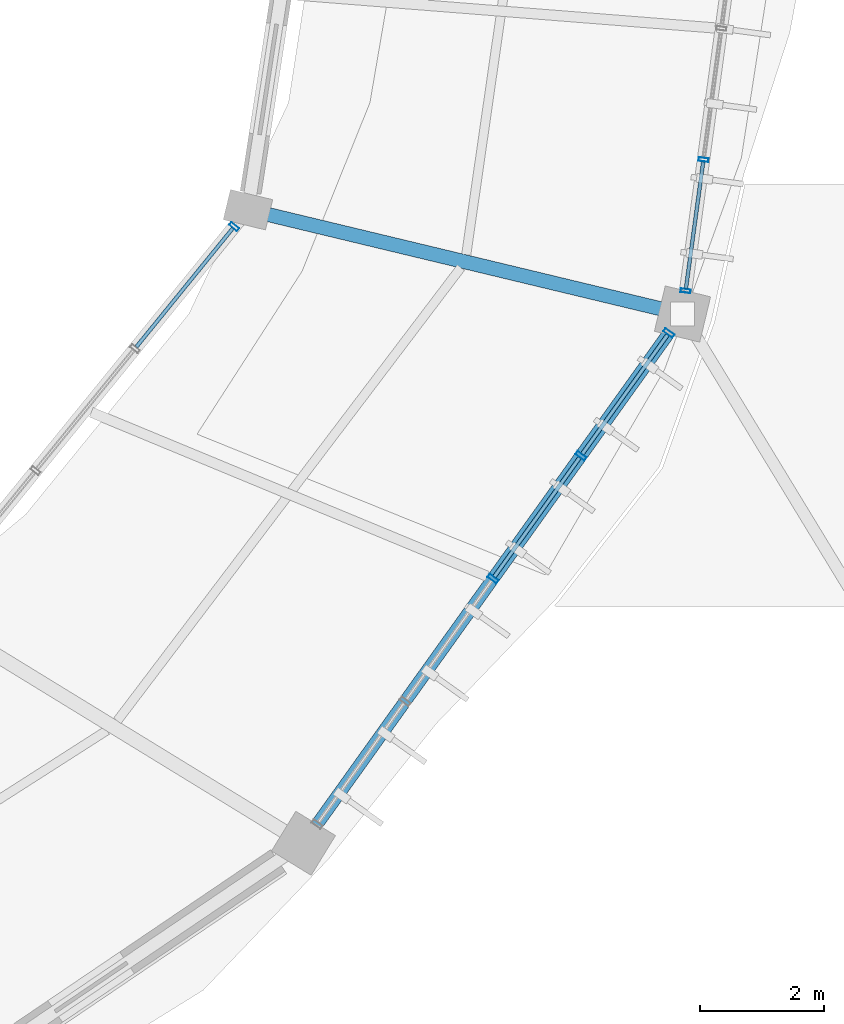
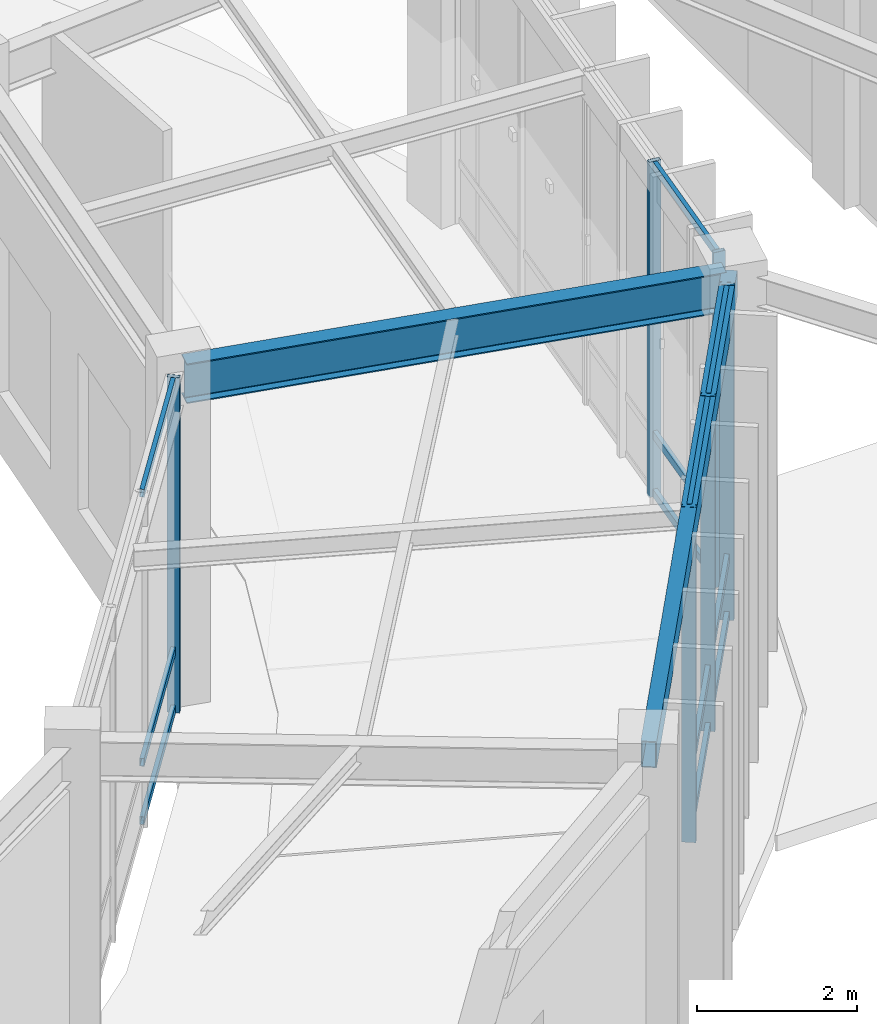
# One storey, part 98 of 157: 18 members, 2 beams, 3 elements without a shape of their own.
"""IFC4 building model written with IfcOpenShell, lengths in metres."""

import ifcopenshell
import ifcopenshell.guid

model = None  # the IFC model being written
_history = None  # IfcOwnerHistory: only IFC2X3 demands one
_inside = {}  # id of a spatial element -> (the spatial element, [elements in it])
_under = {}  # id of a project, library or spatial element -> (it, [spatial elements below it])
_declared = {}  # id of a project -> (the project, [libraries it declares])
_typed = {}  # id of a type object -> (the type object, [elements of that type])
_made_of = {}  # id of a material, layer set ... -> (it, [elements and type objects made of it])


def new_model(schema):
    """Start an empty IFC model of exactly this schema.

    Asked for "IFC4X3", IfcOpenShell would pick the latest addendum, in which some entities
    have other attributes; the version numbers below select the first issue.
    IFC2X3 requires an IfcOwnerHistory on every rooted entity: one is made here for all.
    """
    global model, _history
    if schema == "IFC4X3":
        model = ifcopenshell.file(schema_version=(4, 3, 0, 0))
    else:
        model = ifcopenshell.file(schema=schema)
    _inside.clear()
    _under.clear()
    _declared.clear()
    _typed.clear()
    _made_of.clear()
    _history = None
    if model.schema == "IFC2X3":
        org = make("IfcOrganization", Name="unknown")
        user = make(
            "IfcPersonAndOrganization",
            ThePerson=make("IfcPerson", FamilyName="unknown"),
            TheOrganization=org,
        )
        app = make(
            "IfcApplication",
            ApplicationDeveloper=org,
            Version="unknown",
            ApplicationFullName="unknown",
            ApplicationIdentifier="unknown",
        )
        _history = make(
            "IfcOwnerHistory",
            OwningUser=user,
            OwningApplication=app,
            ChangeAction="ADDED",
            CreationDate=0,
        )
    return model


def make(cls, **values):
    """One entity of the class cls with the attributes given. An attribute that is None is left unset."""
    return model.create_entity(
        cls, **{name: value for name, value in values.items() if value is not None}
    )


def rooted(cls, **values):
    """An entity with a GlobalId (a new one), such as an element, a storey or a relation."""
    return make(cls, GlobalId=ifcopenshell.guid.new(), OwnerHistory=_history, **values)


def si_unit(unit_type, name, prefix=None):
    """IfcSIUnit, for example si_unit("LENGTHUNIT", "METRE", prefix="MILLI")."""
    return make("IfcSIUnit", UnitType=unit_type, Prefix=prefix, Name=name)


def assignment(units):
    """IfcUnitAssignment: the units of a project."""
    return None if units is None else make("IfcUnitAssignment", Units=units)


def point(xyz):
    """IfcCartesianPoint."""
    return None if xyz is None else make("IfcCartesianPoint", Coordinates=xyz)


def direction(xyz):
    """IfcDirection."""
    return None if xyz is None else make("IfcDirection", DirectionRatios=xyz)


def frame(location, z_axis=None, x_axis=None):
    """IfcAxis2Placement3D, a coordinate frame: its origin and axes. An axis left out is left unset."""
    return make(
        "IfcAxis2Placement3D",
        Location=point(location),
        Axis=direction(z_axis),
        RefDirection=direction(x_axis),
    )


def frame_2d(location, x_axis=None):
    """IfcAxis2Placement2D, a coordinate frame in the plane: its origin and x axis."""
    return make(
        "IfcAxis2Placement2D", Location=point(location), RefDirection=direction(x_axis)
    )


def origin():
    """The frame at (0, 0, 0) with its axes left unset."""
    return frame((0.0, 0.0, 0.0))


def origin_2d():
    """The frame at (0, 0) in the plane with its x axis left unset."""
    return frame_2d((0.0, 0.0))


def place(relative_to, where):
    """IfcLocalPlacement: puts the frame where relative to a parent placement (None: the world)."""
    return make(
        "IfcLocalPlacement", PlacementRelTo=relative_to, RelativePlacement=where
    )


def context(
    kind, dimensions, precision=None, world=None, true_north=None, identifier=None
):
    """IfcGeometricRepresentationContext, for example the 3D "Model" context."""
    return make(
        "IfcGeometricRepresentationContext",
        ContextIdentifier=identifier,
        ContextType=kind,
        CoordinateSpaceDimension=dimensions,
        Precision=precision,
        WorldCoordinateSystem=world,
        TrueNorth=true_north,
    )


def subcontext(parent, identifier, kind, view, scale=None):
    """IfcGeometricRepresentationSubContext, for example "Body" below "Model"."""
    return make(
        "IfcGeometricRepresentationSubContext",
        ContextIdentifier=identifier,
        ContextType=kind,
        ParentContext=parent,
        TargetScale=scale,
        TargetView=view,
    )


def project(units=None, contexts=None):
    """IfcProject with its units and contexts."""
    return rooted(
        "IfcProject",
        Name="project",
        RepresentationContexts=contexts,
        UnitsInContext=assignment(units),
    )


def spatial(cls, under=None, at=None, **own):
    """A site, building, storey or space (cls), placed at a placement, below another one or the project."""
    s = rooted(cls, ObjectPlacement=at, **own)
    if under is not None:
        _under.setdefault(under.id(), (under, []))[1].append(s)
    return s


def profile(cls, at=None, kind="AREA", **sizes):
    """A parametric profile (cls). Its sizes go by their IFC names, for example OverallWidth=200.0."""
    return make(cls, ProfileType=kind, Position=at, **sizes)


def hollow_rectangle(**sizes):
    """IfcRectangleHollowProfileDef."""
    return profile("IfcRectangleHollowProfileDef", **sizes)


def i_section(**sizes):
    """IfcIShapeProfileDef."""
    return profile("IfcIShapeProfileDef", **sizes)


def extrude(swept, where, along, depth):
    """IfcExtrudedAreaSolid: the profile swept, set in the frame where, extruded along a direction by depth."""
    return make(
        "IfcExtrudedAreaSolid",
        SweptArea=swept,
        Position=where,
        ExtrudedDirection=direction(along),
        Depth=depth,
    )


def shape(context_of_items, identifier, shape_type, items):
    """IfcShapeRepresentation: the items that make up one representation, for example the "Body"."""
    return make(
        "IfcShapeRepresentation",
        ContextOfItems=context_of_items,
        RepresentationIdentifier=identifier,
        RepresentationType=shape_type,
        Items=items,
    )


def material(Name=None, Category=None):
    """IfcMaterial."""
    return make("IfcMaterial", Name=Name, Category=Category)


def material_profile(
    of_material, cross_section, Name=None, Category=None, Priority=None
):
    """IfcMaterialProfile: a cross section and its material."""
    return make(
        "IfcMaterialProfile",
        Name=Name,
        Material=of_material,
        Profile=cross_section,
        Priority=Priority,
        Category=Category,
    )


def profile_set(profiles, Name=None, composite=None):
    """IfcMaterialProfileSet."""
    return make(
        "IfcMaterialProfileSet",
        Name=Name,
        MaterialProfiles=profiles,
        CompositeProfile=composite,
    )


def made_of(thing, what):
    """Note that an element or type object is made of a material, layer set ...; save() writes the relation."""
    if what is not None:
        _made_of.setdefault(what.id(), (what, []))[1].append(thing)
    return thing


def type_object(cls, material=None, **own):
    """A type object (cls), such as IfcWallType, which elements share."""
    return made_of(rooted(cls, **own), material)


def element(
    cls,
    number,
    at=None,
    inside=None,
    cuts=None,
    type_object=None,
    material=None,
    context=None,
    identifier="Body",
    shape_type=None,
    held_by="IfcProductDefinitionShape",
    body=None,
    shapes=None,
    **own,
):
    """One element of the class cls, such as IfcWall. Its Tag is "e" and its number.

    at: its placement. inside: the storey or other place that contains it. cuts: it is an
    opening in that element (IfcRelVoidsElement). A single representation is given by context,
    identifier, shape_type and body (its items); several are given by shapes. held_by: the class
    of the entity that holds the representations. save() writes the other relations.
    """
    e = rooted(cls, Tag="e%d" % number, ObjectPlacement=at, **own)
    if body is not None:
        shapes = [shape(context, identifier, shape_type, body)]
    if shapes is not None:
        e.Representation = make(held_by, Representations=shapes)
    if inside is not None:
        _inside.setdefault(inside.id(), (inside, []))[1].append(e)
    if cuts is not None:
        rooted(
            "IfcRelVoidsElement", RelatingBuildingElement=cuts, RelatedOpeningElement=e
        )
    if type_object is not None:
        _typed.setdefault(type_object.id(), (type_object, []))[1].append(e)
    return made_of(e, material)


def aggregate(whole, parts):
    """IfcRelAggregates: a whole, such as a stair, and the parts it consists of."""
    return rooted("IfcRelAggregates", RelatingObject=whole, RelatedObjects=parts)


def save(model, path):
    """Write the relations noted so far, then the file.

    IfcRelAggregates (storeys below a building ...), IfcRelContainedInSpatialStructure (elements
    in a storey), IfcRelDefinesByType, IfcRelAssociatesMaterial and IfcRelDeclares: one each for
    every whole, place, type object, material and project.
    """
    for whole, parts in _under.values():
        aggregate(whole, parts)
    for where, things in _inside.values():
        rooted(
            "IfcRelContainedInSpatialStructure",
            RelatedElements=things,
            RelatingStructure=where,
        )
    for kind, things in _typed.values():
        rooted("IfcRelDefinesByType", RelatedObjects=things, RelatingType=kind)
    for what, things in _made_of.values():
        rooted("IfcRelAssociatesMaterial", RelatedObjects=things, RelatingMaterial=what)
    for by, libraries in _declared.values():
        rooted("IfcRelDeclares", RelatingContext=by, RelatedDefinitions=libraries)
    model.write(path)


model = new_model("IFC4")

# Units and contexts
model_context = context("Model", 3, precision=1e-05, world=origin(), true_north=direction((0.0, 1.0)))
body_context = subcontext(model_context, "Body", "Model", "MODEL_VIEW")
ifc_project = project(units=[si_unit("LENGTHUNIT", "METRE"), si_unit("AREAUNIT", "SQUARE_METRE"), si_unit("VOLUMEUNIT", "CUBIC_METRE"), si_unit("PLANEANGLEUNIT", "RADIAN"), si_unit("MASSUNIT", "GRAM", prefix="KILO"), si_unit("THERMODYNAMICTEMPERATUREUNIT", "KELVIN"), si_unit("POWERUNIT", "WATT")], contexts=[model_context])

# Site, building, storey
site_placement = place(None, origin())
site = spatial("IfcSite", under=ifc_project, at=site_placement, CompositionType="ELEMENT")
building_placement = place(site_placement, origin())
building = spatial("IfcBuilding", under=site, at=building_placement, Name="Darbajah Civic Hall", CompositionType="ELEMENT")
storey_placement = place(building_placement, origin())
storey = spatial("IfcBuildingStorey", under=building, at=storey_placement, Name="L00", CompositionType="ELEMENT", Elevation=0.0)

# Curtain wall, member
ifc_material_1 = material(Name="Anodised Bronze Aluminium and Low-E Glazing", Category="aluminium")
curtain_wall_type_1 = type_object("IfcCurtainWallType", Name="Unitised Curtain Wall CW-17 7600x5100", PredefinedType="USERDEFINED", material=ifc_material_1)
curtain_wall_1_placement = place(storey_placement, origin())
curtain_wall_1 = element("IfcCurtainWall", 1, at=curtain_wall_1_placement, inside=storey, type_object=curtain_wall_type_1, Name="L00 unitised curtain wall CW-V1I-L00-18", ObjectType="UNITISED CURTAIN WALL", PredefinedType="USERDEFINED")
ifc_material_2 = material(Name="Anodised Bronze Aluminium", Category="aluminium")
ifc_material_profile_1 = material_profile(ifc_material_2, hollow_rectangle(XDim=0.06005859375, YDim=0.159912109375, WallThickness=0.00341796875, at=origin_2d()), Name="ALU MULLION 60x160")
ifc_profile_set_1 = profile_set([ifc_material_profile_1], Name="Anodised Bronze Aluminium")
member_type_1 = type_object("IfcMemberType", Name="ALU MULLION 60x160", PredefinedType="MULLION", material=ifc_profile_set_1)
member_1_placement = place(storey_placement, frame((131.4677734375, 84.3212890625, 0.0), z_axis=(0.0, 0.0, 1.0), x_axis=(0.63108205791, 0.775716079622, 0.0)))
member_1 = element("IfcMember", 2, at=member_1_placement, type_object=member_type_1, Name="CW-V1I-L00-18 mullion 4", PredefinedType="MULLION", context=body_context, shape_type="SweptSolid", body=[
    extrude(hollow_rectangle(XDim=0.06005859375, YDim=0.159912109375, WallThickness=0.00341796875, at=origin_2d()), origin(), (0.0, 0.0, 1.0), 5.1201171875),
])

# Curtain wall, members
curtain_wall_type_2 = type_object("IfcCurtainWallType", Name="Unitised Curtain Wall CW-18 8500x5100", PredefinedType="USERDEFINED", material=ifc_material_1)
curtain_wall_2_placement = place(storey_placement, origin())
curtain_wall_2 = element("IfcCurtainWall", 3, at=curtain_wall_2_placement, inside=storey, type_object=curtain_wall_type_2, Name="L00 unitised curtain wall CW-V1O-L00-19", ObjectType="UNITISED CURTAIN WALL", PredefinedType="USERDEFINED")
member_2_placement = place(storey_placement, frame((138.74169921875, 83.287109375, 0.0), z_axis=(0.0, 0.0, 1.0), x_axis=(0.134850930274, 0.990865897387, 0.0)))
member_2 = element("IfcMember", 4, at=member_2_placement, type_object=member_type_1, Name="CW-V1O-L00-19 mullion 1", PredefinedType="MULLION", context=body_context, shape_type="SweptSolid", body=[
    extrude(hollow_rectangle(XDim=0.06005859375, YDim=0.159912109375, WallThickness=0.00341796875, at=origin_2d()), origin(), (0.0, 0.0, 1.0), 5.1201171875),
])
member_3_placement = place(storey_placement, frame((139.029296875, 85.400390625, 0.0), z_axis=(0.0, 0.0, 1.0), x_axis=(0.134850930274, 0.990865897387, 0.0)))
member_3 = element("IfcMember", 5, at=member_3_placement, type_object=member_type_1, Name="CW-V1O-L00-19 mullion 2", PredefinedType="MULLION", context=body_context, shape_type="SweptSolid", body=[
    extrude(hollow_rectangle(XDim=0.06005859375, YDim=0.159912109375, WallThickness=0.00341796875, at=origin_2d()), origin(), (0.0, 0.0, 1.0), 5.1201171875),
])

curtain_wall_type_3 = type_object("IfcCurtainWallType", Name="Unitised Curtain Wall CW-16 9700x5100", PredefinedType="USERDEFINED", material=ifc_material_1)
curtain_wall_3_placement = place(storey_placement, origin())
curtain_wall_3 = element("IfcCurtainWall", 6, at=curtain_wall_3_placement, inside=storey, type_object=curtain_wall_type_3, Name="L00 unitised curtain wall CW-V1O-L00-18", ObjectType="UNITISED CURTAIN WALL", PredefinedType="USERDEFINED")
ifc_material_profile_2 = material_profile(ifc_material_2, hollow_rectangle(XDim=0.06494140625, YDim=0.179931640625, WallThickness=0.00390625, at=origin_2d()), Name="ALU MULLION 65x180")
ifc_profile_set_2 = profile_set([ifc_material_profile_2], Name="Anodised Bronze Aluminium")
member_type_2 = type_object("IfcMemberType", Name="ALU MULLION 65x180", PredefinedType="MULLION", material=ifc_profile_set_2)
member_4_placement = place(storey_placement, frame((135.6376953125, 78.64990234375, 0.0), z_axis=(0.0, 0.0, 1.0), x_axis=(0.582264874145, 0.812999149039, 0.0)))
member_4 = element("IfcMember", 7, at=member_4_placement, type_object=member_type_2, Name="CW-V1O-L00-18 mullion 3", PredefinedType="MULLION", context=body_context, shape_type="SweptSolid", body=[
    extrude(hollow_rectangle(XDim=0.06494140625, YDim=0.179931640625, WallThickness=0.00390625, at=origin_2d()), origin(), (0.0, 0.0, 1.0), 5.1201171875),
])
member_5_placement = place(storey_placement, frame((137.0546875, 80.62841796875, 0.0), z_axis=(0.0, 0.0, 1.0), x_axis=(0.582264874145, 0.812999149039, 0.0)))
member_5 = element("IfcMember", 8, at=member_5_placement, type_object=member_type_2, Name="CW-V1O-L00-18 mullion 4", PredefinedType="MULLION", context=body_context, shape_type="SweptSolid", body=[
    extrude(hollow_rectangle(XDim=0.06494140625, YDim=0.179931640625, WallThickness=0.00390625, at=origin_2d()), origin(), (0.0, 0.0, 1.0), 5.1201171875),
])
member_6_placement = place(storey_placement, frame((138.471435546875, 82.60693359375, 0.0), z_axis=(0.0, 0.0, 1.0), x_axis=(0.582264874145, 0.812999149039, 0.0)))
member_6 = element("IfcMember", 9, at=member_6_placement, type_object=member_type_2, Name="CW-V1O-L00-18 mullion 5", PredefinedType="MULLION", context=body_context, shape_type="SweptSolid", body=[
    extrude(hollow_rectangle(XDim=0.06494140625, YDim=0.179931640625, WallThickness=0.00390625, at=origin_2d()), origin(), (0.0, 0.0, 1.0), 5.1201171875),
])

# Member
ifc_material_profile_3 = material_profile(ifc_material_2, hollow_rectangle(XDim=0.06005859375, YDim=0.1201171875, WallThickness=0.003173828125, at=origin_2d()), Name="ALU TRANSOM 60x120")
ifc_profile_set_3 = profile_set([ifc_material_profile_3], Name="Anodised Bronze Aluminium")
member_type_3 = type_object("IfcMemberType", Name="ALU TRANSOM 60x120", PredefinedType="USERDEFINED", material=ifc_profile_set_3)
member_7_placement = place(storey_placement, frame((129.889892578125, 82.381591796875, 0.06005859375), z_axis=(0.631002627026, 0.775780693679, 0.0), x_axis=(-0.775780693679, 0.631002627026, 0.0)))
member_7 = element("IfcMember", 10, at=member_7_placement, type_object=member_type_3, Name="CW-V1I-L00-18 transom 3.1", ObjectType="TRANSOM", PredefinedType="USERDEFINED", context=body_context, shape_type="SweptSolid", body=[
    extrude(hollow_rectangle(XDim=0.06005859375, YDim=0.1201171875, WallThickness=0.003173828125, at=origin_2d()), origin(), (0.0, 0.0, 1.0), 2.46533203125),
])

member_8_placement = place(storey_placement, frame((129.889892578125, 82.381591796875, 0.949951171875), z_axis=(0.631002627026, 0.775780693679, 0.0), x_axis=(-0.775780693679, 0.631002627026, 0.0)))
member_8 = element("IfcMember", 11, at=member_8_placement, type_object=member_type_3, Name="CW-V1I-L00-18 transom 3.2", ObjectType="TRANSOM", PredefinedType="USERDEFINED", context=body_context, shape_type="SweptSolid", body=[
    extrude(hollow_rectangle(XDim=0.06005859375, YDim=0.1201171875, WallThickness=0.003173828125, at=origin_2d()), origin(), (0.0, 0.0, 1.0), 2.46533203125),
])

member_9_placement = place(storey_placement, frame((129.889892578125, 82.381591796875, 5.06005859375), z_axis=(0.631002627026, 0.775780693679, 0.0), x_axis=(-0.775780693679, 0.631002627026, 0.0)))
member_9 = element("IfcMember", 12, at=member_9_placement, type_object=member_type_3, Name="CW-V1I-L00-18 transom 3.3", ObjectType="TRANSOM", PredefinedType="USERDEFINED", context=body_context, shape_type="SweptSolid", body=[
    extrude(hollow_rectangle(XDim=0.06005859375, YDim=0.1201171875, WallThickness=0.003173828125, at=origin_2d()), origin(), (0.0, 0.0, 1.0), 2.46533203125),
])

aggregate(curtain_wall_1, [member_1, member_7, member_8, member_9])

member_10_placement = place(storey_placement, frame((138.746337890625, 83.32177734375, 0.06005859375), z_axis=(0.134923068318, 0.990856077155, 0.0), x_axis=(-0.990856077155, 0.134923068318, 0.0)))
member_10 = element("IfcMember", 13, at=member_10_placement, type_object=member_type_3, Name="CW-V1O-L00-19 transom 1.1", ObjectType="TRANSOM", PredefinedType="USERDEFINED", context=body_context, shape_type="SweptSolid", body=[
    extrude(hollow_rectangle(XDim=0.06005859375, YDim=0.1201171875, WallThickness=0.003173828125, at=origin_2d()), origin(), (0.0, 0.0, 1.0), 2.062744140625),
])

member_11_placement = place(storey_placement, frame((138.746337890625, 83.32177734375, 0.949951171875), z_axis=(0.134923068318, 0.990856077155, 0.0), x_axis=(-0.990856077155, 0.134923068318, 0.0)))
member_11 = element("IfcMember", 14, at=member_11_placement, type_object=member_type_3, Name="CW-V1O-L00-19 transom 1.2", ObjectType="TRANSOM", PredefinedType="USERDEFINED", context=body_context, shape_type="SweptSolid", body=[
    extrude(hollow_rectangle(XDim=0.06005859375, YDim=0.1201171875, WallThickness=0.003173828125, at=origin_2d()), origin(), (0.0, 0.0, 1.0), 2.062744140625),
])

member_12_placement = place(storey_placement, frame((138.746337890625, 83.32177734375, 5.06005859375), z_axis=(0.134923068318, 0.990856077155, 0.0), x_axis=(-0.990856077155, 0.134923068318, 0.0)))
member_12 = element("IfcMember", 15, at=member_12_placement, type_object=member_type_3, Name="CW-V1O-L00-19 transom 1.3", ObjectType="TRANSOM", PredefinedType="USERDEFINED", context=body_context, shape_type="SweptSolid", body=[
    extrude(hollow_rectangle(XDim=0.06005859375, YDim=0.1201171875, WallThickness=0.003173828125, at=origin_2d()), origin(), (0.0, 0.0, 1.0), 2.062744140625),
])

aggregate(curtain_wall_2, [member_2, member_3, member_10, member_11, member_12])

ifc_material_profile_4 = material_profile(ifc_material_2, hollow_rectangle(XDim=0.06494140625, YDim=0.139892578125, WallThickness=0.00341796875, at=origin_2d()), Name="ALU TRANSOM 65x140")
ifc_profile_set_4 = profile_set([ifc_material_profile_4], Name="Anodised Bronze Aluminium")
member_type_4 = type_object("IfcMemberType", Name="ALU TRANSOM 65x140", PredefinedType="USERDEFINED", material=ifc_profile_set_4)
member_13_placement = place(storey_placement, frame((135.65966796875, 78.680419921875, 0.070068359375), z_axis=(0.582197449497, 0.813047433917, 0.0), x_axis=(-0.813047433917, 0.582197449497, 0.0)))
member_13 = element("IfcMember", 16, at=member_13_placement, type_object=member_type_4, Name="CW-V1O-L00-18 transom 3.1", ObjectType="TRANSOM", PredefinedType="USERDEFINED", context=body_context, shape_type="SweptSolid", body=[
    extrude(hollow_rectangle(XDim=0.06494140625, YDim=0.139892578125, WallThickness=0.00341796875, at=origin_2d()), origin(), (0.0, 0.0, 1.0), 2.3583984375),
])

member_14_placement = place(storey_placement, frame((135.65966796875, 78.680419921875, 0.949951171875), z_axis=(0.582197449497, 0.813047433917, 0.0), x_axis=(-0.813047433917, 0.582197449497, 0.0)))
member_14 = element("IfcMember", 17, at=member_14_placement, type_object=member_type_4, Name="CW-V1O-L00-18 transom 3.2", ObjectType="TRANSOM", PredefinedType="USERDEFINED", context=body_context, shape_type="SweptSolid", body=[
    extrude(hollow_rectangle(XDim=0.06494140625, YDim=0.139892578125, WallThickness=0.00341796875, at=origin_2d()), origin(), (0.0, 0.0, 1.0), 2.3583984375),
])

member_15_placement = place(storey_placement, frame((135.65966796875, 78.680419921875, 5.050048828125), z_axis=(0.582197449497, 0.813047433917, 0.0), x_axis=(-0.813047433917, 0.582197449497, 0.0)))
member_15 = element("IfcMember", 18, at=member_15_placement, type_object=member_type_4, Name="CW-V1O-L00-18 transom 3.3", ObjectType="TRANSOM", PredefinedType="USERDEFINED", context=body_context, shape_type="SweptSolid", body=[
    extrude(hollow_rectangle(XDim=0.06494140625, YDim=0.139892578125, WallThickness=0.00341796875, at=origin_2d()), origin(), (0.0, 0.0, 1.0), 2.3583984375),
])

member_16_placement = place(storey_placement, frame((137.076416015625, 80.658935546875, 0.070068359375), z_axis=(0.58226587492, 0.812998432288, 0.0), x_axis=(-0.812998432288, 0.58226587492, 0.0)))
member_16 = element("IfcMember", 19, at=member_16_placement, type_object=member_type_4, Name="CW-V1O-L00-18 transom 4.1", ObjectType="TRANSOM", PredefinedType="USERDEFINED", context=body_context, shape_type="SweptSolid", body=[
    extrude(hollow_rectangle(XDim=0.06494140625, YDim=0.139892578125, WallThickness=0.00341796875, at=origin_2d()), origin(), (0.0, 0.0, 1.0), 2.358642578125),
])

member_17_placement = place(storey_placement, frame((137.076416015625, 80.658935546875, 0.949951171875), z_axis=(0.58226587492, 0.812998432288, 0.0), x_axis=(-0.812998432288, 0.58226587492, 0.0)))
member_17 = element("IfcMember", 20, at=member_17_placement, type_object=member_type_4, Name="CW-V1O-L00-18 transom 4.2", ObjectType="TRANSOM", PredefinedType="USERDEFINED", context=body_context, shape_type="SweptSolid", body=[
    extrude(hollow_rectangle(XDim=0.06494140625, YDim=0.139892578125, WallThickness=0.00341796875, at=origin_2d()), origin(), (0.0, 0.0, 1.0), 2.358642578125),
])

member_18_placement = place(storey_placement, frame((137.076416015625, 80.658935546875, 5.050048828125), z_axis=(0.58226587492, 0.812998432288, 0.0), x_axis=(-0.812998432288, 0.58226587492, 0.0)))
member_18 = element("IfcMember", 21, at=member_18_placement, type_object=member_type_4, Name="CW-V1O-L00-18 transom 4.3", ObjectType="TRANSOM", PredefinedType="USERDEFINED", context=body_context, shape_type="SweptSolid", body=[
    extrude(hollow_rectangle(XDim=0.06494140625, YDim=0.139892578125, WallThickness=0.00341796875, at=origin_2d()), origin(), (0.0, 0.0, 1.0), 2.358642578125),
])

aggregate(curtain_wall_3, [member_4, member_5, member_6, member_13, member_14, member_15, member_16, member_17, member_18])

# Beams
ifc_material_3 = material(Name="Steel S355JR", Category="steel")
ifc_material_profile_5 = material_profile(ifc_material_3, hollow_rectangle(XDim=0.199951171875, YDim=0.39990234375, WallThickness=0.013916015625, at=origin_2d()), Name="RHS 400x200x14")
ifc_profile_set_5 = profile_set([ifc_material_profile_5], Name="Steel S355JR")
beam_type_1 = type_object("IfcBeamType", Name="RHS 400x200x14", PredefinedType="SPANDREL", material=ifc_profile_set_5)
beam_1_placement = place(storey_placement, frame((132.631103515625, 74.451416015625, 4.919921875), z_axis=(0.58222165068, 0.813030103674, 0.0), x_axis=(-0.813030103674, 0.58222165068, 0.0)))
element("IfcBeam", 22, at=beam_1_placement, inside=storey, type_object=beam_type_1, Name="L00 beam SP-RHS400", PredefinedType="SPANDREL", context=body_context, shape_type="SweptSolid", body=[
    extrude(hollow_rectangle(XDim=0.199951171875, YDim=0.39990234375, WallThickness=0.013916015625, at=origin_2d()), origin(), (0.0, 0.0, 1.0), 10.327880859375),
])
ifc_material_profile_6 = material_profile(ifc_material_3, i_section(OverallWidth=0.228271484375, OverallDepth=0.607666015625, WebThickness=0.010986328125, FlangeThickness=0.017333984375, FilletRadius=0.0126953125, at=origin_2d()), Name="UB 610x229x113")
ifc_profile_set_6 = profile_set([ifc_material_profile_6], Name="Steel S355JR")
beam_type_2 = type_object("IfcBeamType", Name="UB 610x229x113", PredefinedType="BEAM", material=ifc_profile_set_6)
beam_2_placement = place(storey_placement, frame((131.767578125, 84.575439453125, 4.816162109375), z_axis=(0.972374394108, -0.233426728726, 0.0), x_axis=(0.233426728726, 0.972374394108, 0.0)))
element("IfcBeam", 23, at=beam_2_placement, inside=storey, type_object=beam_type_2, Name="L00 beam SB-610", PredefinedType="BEAM", context=body_context, shape_type="SweptSolid", body=[
    extrude(i_section(OverallWidth=0.228271484375, OverallDepth=0.607666015625, WebThickness=0.010986328125, FlangeThickness=0.017333984375, FilletRadius=0.0126953125, at=origin_2d()), origin(), (0.0, 0.0, 1.0), 7.0400390625),
])

save(model, "model.ifc")
